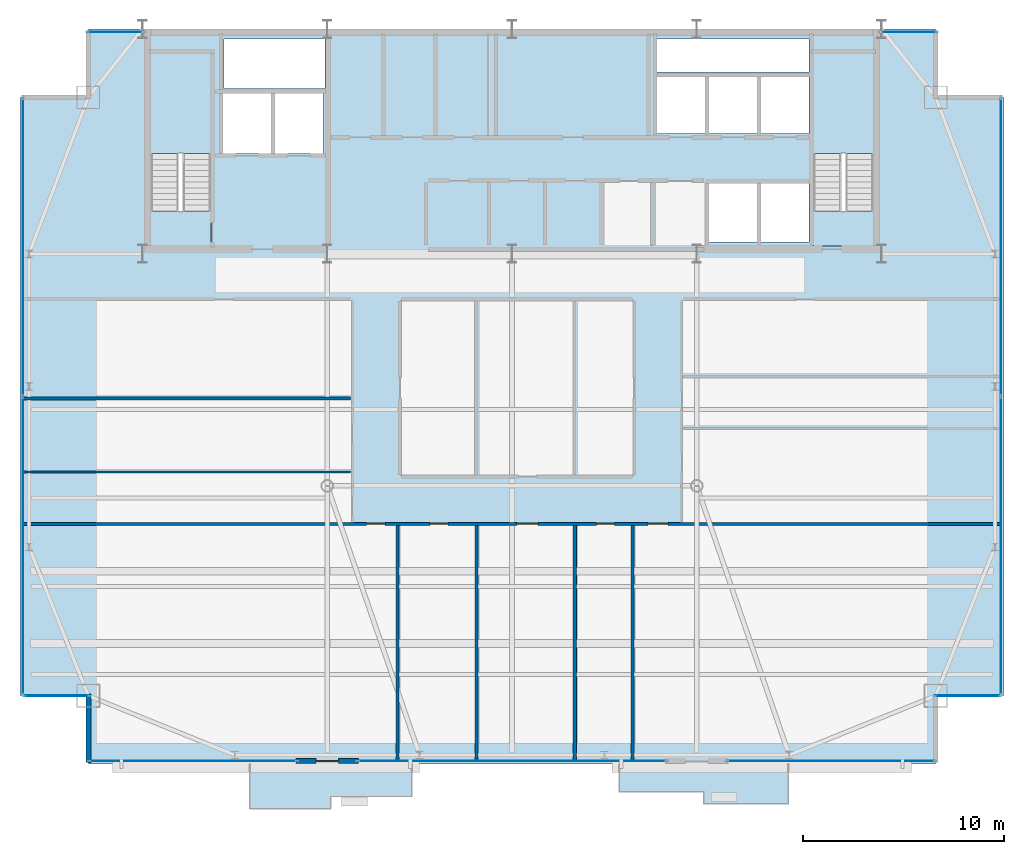
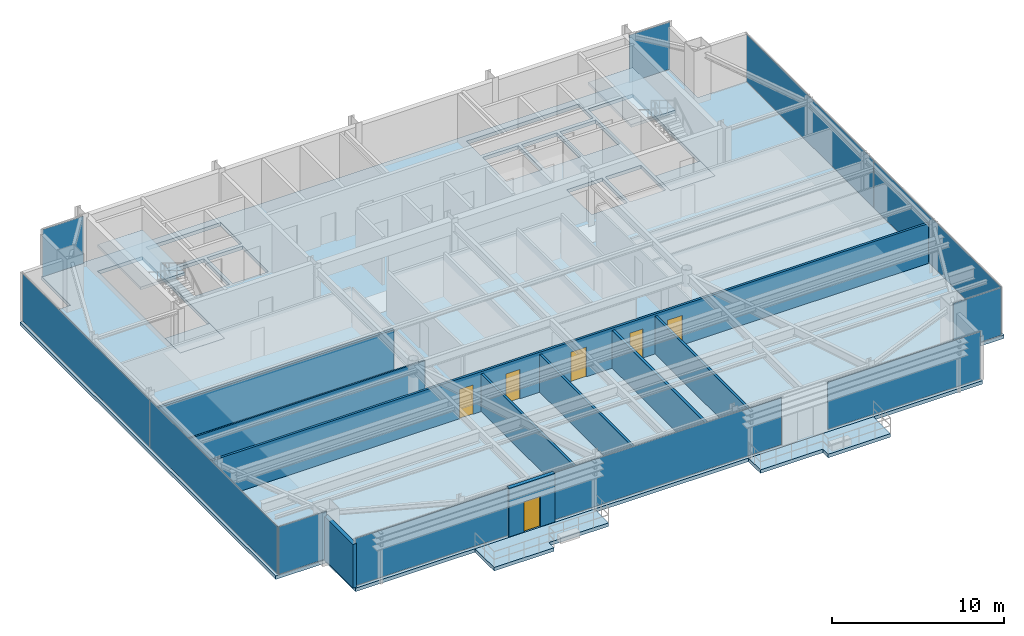
# One storey, part 23 of 28: 11 plates, 9 walls, 7 slabs, 6 doors, 6 openings, 11 elements without a shape of their own.
"""IFC4 building model written with IfcOpenShell, lengths in metres."""

from ifc_helpers import new_model, si_unit, direction, frame, frame_2d, origin, origin_2d, place, context, subcontext, project, spatial, polyline, rectangle, outline, extrude, source, transform, mapped, material, layer, layer_set, type_object, type_shapes, element, fill, aggregate, save


model = new_model("IFC4")

# Units and contexts
model_context = context("Model", 3, precision=1e-05, world=origin(), true_north=direction((0.0, 1.0)))
body_context = subcontext(model_context, "Body", "Model", "MODEL_VIEW")
ifc_project = project(units=[si_unit("LENGTHUNIT", "METRE"), si_unit("AREAUNIT", "SQUARE_METRE"), si_unit("VOLUMEUNIT", "CUBIC_METRE"), si_unit("PLANEANGLEUNIT", "RADIAN"), si_unit("MASSUNIT", "GRAM", prefix="KILO")], contexts=[model_context])

# Site, building, storey
site_placement = place(None, origin())
site = spatial("IfcSite", under=ifc_project, at=site_placement, CompositionType="ELEMENT")
building_placement = place(site_placement, origin())
building = spatial("IfcBuilding", under=site, at=building_placement, Name="Varnel Quay Broadcast Tower", CompositionType="ELEMENT")
storey_placement = place(building_placement, frame((0.0, 0.0, 230.199951171875)))
storey = spatial("IfcBuildingStorey", under=building, at=storey_placement, Name="L57", CompositionType="ELEMENT", Elevation=230.199951171875)

# Slabs
ifc_material_1 = material(Name="Concrete CSA A23.3 C40/50", Category="concrete")
ifc_layer_1 = layer(ifc_material_1, 0.25, Name="Concrete CSA A23.3 C40/50")
ifc_layer_set_1 = layer_set([ifc_layer_1], Name="Concrete CSA A23.3 C40/50")
slab_type_1 = type_object("IfcSlabType", Name="Slab_ExtTerrace250", PredefinedType="FLOOR", material=ifc_layer_set_1)
slab_1_placement = place(storey_placement, frame((0.0, 0.0, -0.25)))
element("IfcSlab", 1, at=slab_1_placement, inside=storey, type_object=slab_type_1, Name="L57 Planted Lobe Terrace Slab 1", PredefinedType="FLOOR", context=body_context, shape_type="SweptSolid", body=[
    extrude(outline(polyline([(20.949951171875, 7.98291015625), (24.97509765625, 7.98291015625), (24.97509765625, 8.5830078125), (29.0, 8.5830078125), (29.0, 10.199951171875), (20.949951171875, 10.199951171875), (20.949951171875, 7.98291015625)])), origin(), (0.0, 0.0, 1.0), 0.25),
])
slab_2_placement = place(storey_placement, frame((0.0, 0.0, -0.25)))
element("IfcSlab", 2, at=slab_2_placement, inside=storey, type_object=slab_type_1, Name="L57 Planted Lobe Terrace Slab 2", PredefinedType="FLOOR", context=body_context, shape_type="SweptSolid", body=[
    extrude(outline(polyline([(39.35009765625, 8.81689453125), (43.550048828125, 8.81689453125), (43.550048828125, 8.217041015625), (47.75, 8.217041015625), (47.75, 10.199951171875), (39.35009765625, 10.199951171875), (39.35009765625, 8.81689453125)])), origin(), (0.0, 0.0, 1.0), 0.25),
])
ifc_material_2 = material(Name="Concrete CSA A23.3 C50/60", Category="concrete")
ifc_layer_2 = layer(ifc_material_2, 0.25, Name="Concrete CSA A23.3 C50/60")
ifc_layer_set_2 = layer_set([ifc_layer_2], Name="Concrete CSA A23.3 C50/60")
slab_type_2 = type_object("IfcSlabType", Name="Slab_Floor250", PredefinedType="FLOOR", material=ifc_layer_set_2)
slab_3_placement = place(storey_placement, frame((0.0, 0.0, -0.25)))
element("IfcSlab", 3, at=slab_3_placement, inside=storey, type_object=slab_type_2, Name="L57 Structural Slab", PredefinedType="FLOOR", context=body_context, shape_type="SweptSolid", body=[
    extrude(outline(polyline([(12.89990234375, 10.199951171875), (55.10009765625, 10.199951171875), (55.10009765625, 13.60009765625), (58.5, 13.60009765625), (58.5, 43.39990234375), (55.10009765625, 43.39990234375), (55.10009765625, 46.800048828125), (12.89990234375, 46.800048828125), (12.89990234375, 43.39990234375), (9.5, 43.39990234375), (9.5, 13.60009765625), (12.89990234375, 13.60009765625), (12.89990234375, 10.199951171875)]), holes=[polyline([(19.0, 36.0), (16.0, 36.0), (16.0, 45.60009765625), (19.0, 45.60009765625), (19.0, 36.0)]), polyline([(19.60009765625, 40.60009765625), (19.60009765625, 43.60009765625), (22.0, 43.60009765625), (22.0, 40.60009765625), (19.60009765625, 40.60009765625)]), polyline([(22.199951171875, 40.60009765625), (22.199951171875, 43.60009765625), (24.60009765625, 43.60009765625), (24.60009765625, 40.60009765625), (22.199951171875, 40.60009765625)]), polyline([(41.199951171875, 44.39990234375), (43.60009765625, 44.39990234375), (43.60009765625, 41.60009765625), (41.199951171875, 41.60009765625), (41.199951171875, 44.39990234375)]), polyline([(43.800048828125, 44.39990234375), (46.199951171875, 44.39990234375), (46.199951171875, 41.60009765625), (43.800048828125, 41.60009765625), (43.800048828125, 44.39990234375)]), polyline([(19.64990234375, 43.85009765625), (19.64990234375, 46.300048828125), (24.679931640625, 46.300048828125), (24.679931640625, 43.85009765625), (19.64990234375, 43.85009765625)]), polyline([(43.800048828125, 39.10009765625), (46.199951171875, 39.10009765625), (46.199951171875, 36.199951171875), (43.800048828125, 36.199951171875), (43.800048828125, 39.10009765625)]), polyline([(46.39990234375, 39.10009765625), (48.800048828125, 39.10009765625), (48.800048828125, 36.199951171875), (46.39990234375, 36.199951171875), (46.39990234375, 39.10009765625)]), polyline([(52.0, 36.0), (49.0, 36.0), (49.0, 45.60009765625), (52.0, 45.60009765625), (52.0, 36.0)]), polyline([(46.39990234375, 44.39990234375), (48.800048828125, 44.39990234375), (48.800048828125, 41.60009765625), (46.39990234375, 41.60009765625), (46.39990234375, 44.39990234375)]), polyline([(41.199951171875, 46.300048828125), (48.800048828125, 46.300048828125), (48.800048828125, 44.64990234375), (41.199951171875, 44.64990234375), (41.199951171875, 46.300048828125)])]), origin(), (0.0, 0.0, 1.0), 0.25),
])
ifc_layer_3 = layer(ifc_material_2, 0.25, Name="Concrete CSA A23.3 C50/60")
ifc_layer_set_3 = layer_set([ifc_layer_3], Name="Concrete CSA A23.3 C50/60")
slab_type_3 = type_object("IfcSlabType", Name="Slab_StairFloorLanding250", PredefinedType="FLOOR", material=ifc_layer_set_3)
slab_4_placement = place(storey_placement, frame((0.0, 0.0, -0.25)))
element("IfcSlab", 4, at=slab_4_placement, inside=storey, type_object=slab_type_3, Name="L57 ST-01 Structural Floor Landing Slab", PredefinedType="FLOOR", context=body_context, shape_type="SweptSolid", body=[
    extrude(outline(polyline([(19.0, 36.0), (19.0, 37.75), (16.0, 37.75), (16.0, 36.0), (19.0, 36.0)])), origin(), (0.0, 0.0, 1.0), 0.25),
])
slab_5_placement = place(storey_placement, frame((0.0, 0.0, -0.25)))
element("IfcSlab", 5, at=slab_5_placement, inside=storey, type_object=slab_type_3, Name="L57 ST-02 Structural Floor Landing Slab", PredefinedType="FLOOR", context=body_context, shape_type="SweptSolid", body=[
    extrude(outline(polyline([(52.0, 36.0), (52.0, 37.75), (49.0, 37.75), (49.0, 36.0), (52.0, 36.0)])), origin(), (0.0, 0.0, 1.0), 0.25),
])

# Stair, slab
ifc_material_3 = material(Name="Precast Structural Concrete C40/50", Category="concrete")
stair_type_1 = type_object("IfcStairType", Name="Stair_ST-01", PredefinedType="HALF_TURN_STAIR", material=ifc_material_3)
stair_1_placement = place(storey_placement, origin())
stair_1 = element("IfcStair", 6, at=stair_1_placement, inside=storey, type_object=stair_type_1, Name="L57 West Core Exit Stair 1", PredefinedType="HALF_TURN_STAIR")
ifc_layer_4 = layer(ifc_material_3, 0.199951171875, Name="Precast Structural Concrete C40/50")
ifc_layer_set_4 = layer_set([ifc_layer_4], Name="Precast Structural Concrete C40/50")
slab_type_4 = type_object("IfcSlabType", Name="Slab_StairLanding200", PredefinedType="LANDING", material=ifc_layer_set_4)
slab_6_placement = place(storey_placement, frame((0.0, 0.0, 1.699951171875)))
slab_6 = element("IfcSlab", 7, at=slab_6_placement, type_object=slab_type_4, Name="ST-01 landing 1", PredefinedType="LANDING", context=body_context, shape_type="SweptSolid", body=[
    extrude(outline(polyline([(19.0, 40.60009765625), (19.0, 45.60009765625), (16.0, 45.60009765625), (16.0, 40.60009765625), (19.0, 40.60009765625)])), origin(), (0.0, 0.0, 1.0), 0.2001953125),
])
aggregate(stair_1, [slab_6])

stair_type_2 = type_object("IfcStairType", Name="Stair_ST-02", PredefinedType="HALF_TURN_STAIR", material=ifc_material_3)
stair_2_placement = place(storey_placement, origin())
stair_2 = element("IfcStair", 8, at=stair_2_placement, inside=storey, type_object=stair_type_2, Name="L57 East Core Exit Stair 2", PredefinedType="HALF_TURN_STAIR")
slab_7_placement = place(storey_placement, frame((0.0, 0.0, 1.699951171875)))
slab_7 = element("IfcSlab", 9, at=slab_7_placement, type_object=slab_type_4, Name="ST-02 landing 1", PredefinedType="LANDING", context=body_context, shape_type="SweptSolid", body=[
    extrude(outline(polyline([(52.0, 40.60009765625), (52.0, 45.60009765625), (49.0, 45.60009765625), (49.0, 40.60009765625), (52.0, 40.60009765625)])), origin(), (0.0, 0.0, 1.0), 0.2001953125),
])
aggregate(stair_2, [slab_7])

# Curtain wall, plate
ifc_material_4 = material(Name="Anodised Bronze Aluminium 6063-T6", Category="aluminium")
ifc_layer_5 = layer(ifc_material_4, 0.18994140625, Name="Anodised Bronze Aluminium 6063-T6")
ifc_layer_set_5 = layer_set([ifc_layer_5], Name="Anodised Bronze Aluminium 6063-T6")
curtain_wall_type_1 = type_object("IfcCurtainWallType", Name="CW_UpperTower", PredefinedType="NOTDEFINED", material=ifc_layer_set_5)
curtain_wall_1_placement = place(storey_placement, origin())
curtain_wall_1 = element("IfcCurtainWall", 10, at=curtain_wall_1_placement, inside=storey, type_object=curtain_wall_type_1, Name="L57 South Unitised Curtain Wall 1", PredefinedType="NOTDEFINED")
ifc_material_5 = material(Name="Triple-Glazed Bronze Low-E Architectural Glass", Category="glass")
ifc_layer_6 = layer(ifc_material_5, 0.030029296875, Name="Triple-Glazed Bronze Low-E Architectural Glass")
ifc_layer_set_6 = layer_set([ifc_layer_6], Name="Triple-Glazed Bronze Low-E Architectural Glass")
plate_type_1 = type_object("IfcPlateType", Name="Panel_CWS-03", PredefinedType="CURTAIN_PANEL", material=ifc_layer_set_6)
shared_shape_1 = source(origin(), body_context, "Body", "SweptSolid", [
    extrude(rectangle(XDim=10.2900390625, YDim=0.030029296875, at=origin_2d()), origin(), (0.0, 0.0, 1.0), 3.360107421875),
])
plate_1_placement = place(storey_placement, frame((18.110107421875, 10.35009765625, 0.06005859375), z_axis=(0.0, 0.0, 1.0), x_axis=(1.0, 0.0, 0.0)))
plate_1 = element("IfcPlate", 11, at=plate_1_placement, type_object=plate_type_1, Name="CWS-03 panel 1.1", PredefinedType="CURTAIN_PANEL", context=body_context, shape_type="MappedRepresentation", body=[
    mapped(shared_shape_1, transform((0.0, 0.0, 0.0), x_axis=(1.0, 0.0, 0.0), y_axis=(0.0, 1.0, 0.0), z_axis=(0.0, 0.0, 1.0), scale=1.0)),
])
aggregate(curtain_wall_1, [plate_1])

curtain_wall_2_placement = place(storey_placement, origin())
curtain_wall_2 = element("IfcCurtainWall", 12, at=curtain_wall_2_placement, inside=storey, type_object=curtain_wall_type_1, Name="L57 South Unitised Curtain Wall 3", PredefinedType="NOTDEFINED")
plate_2_placement = place(storey_placement, frame((49.889892578125, 10.35009765625, 0.06005859375), z_axis=(0.0, 0.0, 1.0), x_axis=(1.0, 0.0, 0.0)))
plate_2 = element("IfcPlate", 13, at=plate_2_placement, type_object=plate_type_1, Name="CWS-03 panel 1.1", PredefinedType="CURTAIN_PANEL", context=body_context, shape_type="MappedRepresentation", body=[
    mapped(shared_shape_1, transform((0.0, 0.0, 0.0), x_axis=(1.0, 0.0, 0.0), y_axis=(0.0, 1.0, 0.0), z_axis=(0.0, 0.0, 1.0), scale=1.0)),
])
aggregate(curtain_wall_2, [plate_2])

curtain_wall_3_placement = place(storey_placement, origin())
curtain_wall_3 = element("IfcCurtainWall", 14, at=curtain_wall_3_placement, inside=storey, type_object=curtain_wall_type_1, Name="L57 South Unitised Curtain Wall 2", PredefinedType="NOTDEFINED")
shared_shape_2 = source(origin(), body_context, "Body", "SweptSolid", [
    extrude(rectangle(XDim=15.31005859375, YDim=0.030029296875, at=origin_2d()), origin(), (0.0, 0.0, 1.0), 3.360107421875),
])
plate_3_placement = place(storey_placement, frame((34.0, 10.35009765625, 0.06005859375), z_axis=(0.0, 0.0, 1.0), x_axis=(1.0, 0.0, 0.0)))
plate_3 = element("IfcPlate", 15, at=plate_3_placement, type_object=plate_type_1, Name="CWS-03 panel 1.1", PredefinedType="CURTAIN_PANEL", context=body_context, shape_type="MappedRepresentation", body=[
    mapped(shared_shape_2, transform((0.0, 0.0, 0.0), x_axis=(1.0, 0.0, 0.0), y_axis=(0.0, 1.0, 0.0), z_axis=(0.0, 0.0, 1.0), scale=1.0)),
])
aggregate(curtain_wall_3, [plate_3])

# Curtain wall, plates
curtain_wall_4_placement = place(storey_placement, origin())
curtain_wall_4 = element("IfcCurtainWall", 16, at=curtain_wall_4_placement, inside=storey, type_object=curtain_wall_type_1, Name="L57 West Unitised Curtain Wall", PredefinedType="NOTDEFINED")
shared_shape_3 = source(origin(), body_context, "Body", "SweptSolid", [
    extrude(rectangle(XDim=14.802490234375, YDim=0.030029296875, at=origin_2d()), origin(), (0.0, 0.0, 1.0), 3.360107421875),
])
plate_4_placement = place(storey_placement, frame((9.64990234375, 21.066162109375, 0.06005859375), z_axis=(0.0, 0.0, 1.0), x_axis=(0.0, 1.0, 0.0)))
plate_4 = element("IfcPlate", 17, at=plate_4_placement, type_object=plate_type_1, Name="CWS-03 panel 1.1", PredefinedType="CURTAIN_PANEL", context=body_context, shape_type="MappedRepresentation", body=[
    mapped(shared_shape_3, transform((0.0, 0.0, 0.0), x_axis=(1.0, 0.0, 0.0), y_axis=(0.0, 1.0, 0.0), z_axis=(0.0, 0.0, 1.0), scale=1.0)),
])
plate_5_placement = place(storey_placement, frame((9.64990234375, 35.933837890625, 0.06005859375), z_axis=(0.0, 0.0, 1.0), x_axis=(0.0, 1.0, 0.0)))
plate_5 = element("IfcPlate", 18, at=plate_5_placement, type_object=plate_type_1, Name="CWS-03 panel 2.1", PredefinedType="CURTAIN_PANEL", context=body_context, shape_type="MappedRepresentation", body=[
    mapped(shared_shape_3, transform((0.0, 0.0, 0.0), x_axis=(1.0, 0.0, 0.0), y_axis=(0.0, 1.0, 0.0), z_axis=(0.0, 0.0, 1.0), scale=1.0)),
])
aggregate(curtain_wall_4, [plate_4, plate_5])

curtain_wall_5_placement = place(storey_placement, origin())
curtain_wall_5 = element("IfcCurtainWall", 19, at=curtain_wall_5_placement, inside=storey, type_object=curtain_wall_type_1, Name="L57 East Unitised Curtain Wall", PredefinedType="NOTDEFINED")
plate_6_placement = place(storey_placement, frame((58.35009765625, 21.066162109375, 0.06005859375), z_axis=(0.0, 0.0, 1.0), x_axis=(0.0, 1.0, 0.0)))
plate_6 = element("IfcPlate", 20, at=plate_6_placement, type_object=plate_type_1, Name="CWS-03 panel 1.1", PredefinedType="CURTAIN_PANEL", context=body_context, shape_type="MappedRepresentation", body=[
    mapped(shared_shape_3, transform((0.0, 0.0, 0.0), x_axis=(1.0, 0.0, 0.0), y_axis=(0.0, 1.0, 0.0), z_axis=(0.0, 0.0, 1.0), scale=1.0)),
])
plate_7_placement = place(storey_placement, frame((58.35009765625, 35.933837890625, 0.06005859375), z_axis=(0.0, 0.0, 1.0), x_axis=(0.0, 1.0, 0.0)))
plate_7 = element("IfcPlate", 21, at=plate_7_placement, type_object=plate_type_1, Name="CWS-03 panel 2.1", PredefinedType="CURTAIN_PANEL", context=body_context, shape_type="MappedRepresentation", body=[
    mapped(shared_shape_3, transform((0.0, 0.0, 0.0), x_axis=(1.0, 0.0, 0.0), y_axis=(0.0, 1.0, 0.0), z_axis=(0.0, 0.0, 1.0), scale=1.0)),
])
aggregate(curtain_wall_5, [plate_6, plate_7])

# Curtain wall, plate
ifc_layer_7 = layer(ifc_material_4, 0.18994140625, Name="Anodised Bronze Aluminium 6063-T6")
ifc_layer_set_7 = layer_set([ifc_layer_7], Name="Anodised Bronze Aluminium 6063-T6")
curtain_wall_type_2 = type_object("IfcCurtainWallType", Name="CW_NotchCorner", PredefinedType="NOTDEFINED", material=ifc_layer_set_7)
curtain_wall_6_placement = place(storey_placement, origin())
curtain_wall_6 = element("IfcCurtainWall", 22, at=curtain_wall_6_placement, inside=storey, type_object=curtain_wall_type_2, Name="L57 SW Notch Curtain Wall", PredefinedType="NOTDEFINED")
ifc_layer_8 = layer(ifc_material_5, 0.028076171875, Name="Triple-Glazed Bronze Low-E Architectural Glass")
ifc_layer_set_8 = layer_set([ifc_layer_8], Name="Triple-Glazed Bronze Low-E Architectural Glass")
plate_type_2 = type_object("IfcPlateType", Name="Panel_CWS-04", PredefinedType="CURTAIN_PANEL", material=ifc_layer_set_8)
shared_shape_4 = source(origin(), body_context, "Body", "SweptSolid", [
    extrude(rectangle(XDim=3.2099609375, YDim=0.028076171875, at=origin_2d()), origin(), (0.0, 0.0, 1.0), 3.3701171875),
])
type_shapes(plate_type_2, [shared_shape_4])
plate_8_placement = place(storey_placement, frame((11.31494140625, 13.60009765625, 0.054931640625), z_axis=(0.0, 0.0, 1.0), x_axis=(1.0, 0.0, 0.0)))
plate_8 = element("IfcPlate", 23, at=plate_8_placement, type_object=plate_type_2, Name="CWS-04 panel 1.1", PredefinedType="CURTAIN_PANEL", context=body_context, shape_type="MappedRepresentation", body=[
    mapped(shared_shape_4, transform((0.0, 0.0, 0.0), x_axis=(1.0, 0.0, 0.0), y_axis=(0.0, 1.0, 0.0), z_axis=(0.0, 0.0, 1.0), scale=1.0)),
])
aggregate(curtain_wall_6, [plate_8])

curtain_wall_7_placement = place(storey_placement, origin())
curtain_wall_7 = element("IfcCurtainWall", 24, at=curtain_wall_7_placement, inside=storey, type_object=curtain_wall_type_2, Name="L57 SE Notch Curtain Wall", PredefinedType="NOTDEFINED")
plate_9_placement = place(storey_placement, frame((56.68505859375, 13.60009765625, 0.054931640625), z_axis=(0.0, 0.0, 1.0), x_axis=(1.0, 0.0, 0.0)))
plate_9 = element("IfcPlate", 25, at=plate_9_placement, type_object=plate_type_2, Name="CWS-04 panel 1.1", PredefinedType="CURTAIN_PANEL", context=body_context, shape_type="MappedRepresentation", body=[
    mapped(shared_shape_4, transform((0.0, 0.0, 0.0), x_axis=(1.0, 0.0, 0.0), y_axis=(0.0, 1.0, 0.0), z_axis=(0.0, 0.0, 1.0), scale=1.0)),
])
aggregate(curtain_wall_7, [plate_9])

curtain_wall_8_placement = place(storey_placement, origin())
curtain_wall_8 = element("IfcCurtainWall", 26, at=curtain_wall_8_placement, inside=storey, type_object=curtain_wall_type_1, Name="L57 NW Wing Curtain Wall", PredefinedType="NOTDEFINED")
shared_shape_5 = source(origin(), body_context, "Body", "SweptSolid", [
    extrude(rectangle(XDim=2.75, YDim=0.030029296875, at=origin_2d()), origin(), (0.0, 0.0, 1.0), 3.360107421875),
])
type_shapes(plate_type_1, [shared_shape_1, shared_shape_2, shared_shape_3, shared_shape_5])
plate_10_placement = place(storey_placement, frame((14.260009765625, 46.64990234375, 0.06005859375), z_axis=(0.0, 0.0, 1.0), x_axis=(1.0, 0.0, 0.0)))
plate_10 = element("IfcPlate", 27, at=plate_10_placement, type_object=plate_type_1, Name="CWS-03 panel 1.1", PredefinedType="CURTAIN_PANEL", context=body_context, shape_type="MappedRepresentation", body=[
    mapped(shared_shape_5, transform((0.0, 0.0, 0.0), x_axis=(1.0, 0.0, 0.0), y_axis=(0.0, 1.0, 0.0), z_axis=(0.0, 0.0, 1.0), scale=1.0)),
])
aggregate(curtain_wall_8, [plate_10])

curtain_wall_9_placement = place(storey_placement, origin())
curtain_wall_9 = element("IfcCurtainWall", 28, at=curtain_wall_9_placement, inside=storey, type_object=curtain_wall_type_1, Name="L57 NE Wing Curtain Wall", PredefinedType="NOTDEFINED")
plate_11_placement = place(storey_placement, frame((53.739990234375, 46.64990234375, 0.06005859375), z_axis=(0.0, 0.0, 1.0), x_axis=(1.0, 0.0, 0.0)))
plate_11 = element("IfcPlate", 29, at=plate_11_placement, type_object=plate_type_1, Name="CWS-03 panel 1.1", PredefinedType="CURTAIN_PANEL", context=body_context, shape_type="MappedRepresentation", body=[
    mapped(shared_shape_5, transform((0.0, 0.0, 0.0), x_axis=(1.0, 0.0, 0.0), y_axis=(0.0, 1.0, 0.0), z_axis=(0.0, 0.0, 1.0), scale=1.0)),
])
aggregate(curtain_wall_9, [plate_11])

# Wall, opening, door
ifc_material_6 = material(Name="Precast Architectural Concrete C40/50", Category="concrete")
ifc_layer_9 = layer(ifc_material_6, 0.25, Name="Precast Architectural Concrete C40/50")
ifc_layer_set_9 = layer_set([ifc_layer_9], Name="Precast Architectural Concrete C40/50")
wall_type_1 = type_object("IfcWallType", Name="Wall_ExtTerrace250", PredefinedType="SOLIDWALL", material=ifc_layer_set_9)
wall_1_placement = place(storey_placement, frame((23.25, 10.35009765625, 0.0), z_axis=(0.0, 0.0, 1.0), x_axis=(1.0, 0.0, 0.0)))
wall_1 = element("IfcWall", 30, at=wall_1_placement, inside=storey, type_object=wall_type_1, Name="L57 Terrace Access Wall 1", PredefinedType="SOLIDWALL", context=body_context, shape_type="SweptSolid", body=[
    extrude(rectangle(XDim=3.10009765625, YDim=0.25, at=frame_2d((1.550048828125, 0.0))), origin(), (0.0, 0.0, 1.0), 3.4599609375),
])
opening_1_placement = place(wall_1_placement, frame((1.0, 0.0, 0.0)))
opening_1 = element("IfcOpeningElement", 31, at=opening_1_placement, cuts=wall_1, Name="Opening TD-571", PredefinedType="OPENING", context=body_context, shape_type="SweptSolid", body=[
    extrude(rectangle(XDim=1.10009765625, YDim=2.14990234375, at=frame_2d((0.550048828125, 1.074951171875))), frame((0.0, 0.135009765625, 0.0), z_axis=(0.0, -1.0, 0.0), x_axis=(1.0, 0.0, 0.0)), (0.0, 0.0, 1.0), 0.27001953125),
])
door_type_1 = type_object("IfcDoorType", Name="Door_ExtTerrace1100", OperationType="NOTDEFINED", PredefinedType="DOOR", material=ifc_material_4)
shared_shape_6 = source(origin(), body_context, "Body", "SweptSolid", [
    extrude(rectangle(XDim=1.10009765625, YDim=2.14990234375, at=frame_2d((0.550048828125, 1.074951171875))), frame((0.0, 0.02490234375, 0.0), z_axis=(0.0, -1.0, 0.0), x_axis=(1.0, 0.0, 0.0)), (0.0, 0.0, 1.0), 0.050048828125),
])
type_shapes(door_type_1, [shared_shape_6])
door_1_placement = place(opening_1_placement, frame((1.10009765625, 0.0, 0.0), z_axis=(0.0, 0.0, 1.0), x_axis=(-1.0, 0.0, 0.0)))
door_1 = element("IfcDoor", 32, at=door_1_placement, inside=storey, type_object=door_type_1, Name="L57 Terrace Door TD-571", OperationType="SINGLE_SWING_LEFT", OverallHeight=2.14990234375, OverallWidth=1.10009765625, PredefinedType="DOOR", context=body_context, shape_type="MappedRepresentation", body=[
    mapped(shared_shape_6, transform((0.0, 0.0, 0.0), x_axis=(1.0, 0.0, 0.0), y_axis=(0.0, 1.0, 0.0), z_axis=(0.0, 0.0, 1.0), scale=1.0)),
])
fill(opening_1, door_1)

# Walls
wall_2_placement = place(storey_placement, frame((12.89990234375, 10.280029296875, 0.0), z_axis=(0.0, 0.0, 1.0), x_axis=(0.0, 1.0, 0.0)))
element("IfcWall", 33, at=wall_2_placement, inside=storey, type_object=wall_type_1, Name="L57 Mega-Column Notch Cladding Wall NSW2", PredefinedType="SOLIDWALL", context=body_context, shape_type="SweptSolid", body=[
    extrude(rectangle(XDim=3.39990234375, YDim=0.25, at=frame_2d((1.699951171875, 0.0))), origin(), (0.0, 0.0, 1.0), 3.10107421875),
])
ifc_material_7 = material(Name="Steel-Stud Fire-Rated Acoustic Gypsum Partition Assembly", Category="steel")
ifc_layer_10 = layer(ifc_material_7, 0.10498046875, Name="Steel-Stud Fire-Rated Acoustic Gypsum Partition Assembly")
ifc_layer_set_10 = layer_set([ifc_layer_10], Name="Steel-Stud Fire-Rated Acoustic Gypsum Partition Assembly")
wall_type_2 = type_object("IfcWallType", Name="Wall_Partition105", PredefinedType="PARTITIONING", material=ifc_layer_set_10)
wall_3_placement = place(storey_placement, frame((9.679931640625, 24.739990234375, 0.0), z_axis=(0.0, 0.0, 1.0), x_axis=(1.0, 0.0, 0.0)))
element("IfcWall", 34, at=wall_3_placement, inside=storey, type_object=wall_type_2, Name="L57 Camera Locker Store 6 Partition 14", PredefinedType="PARTITIONING", context=body_context, shape_type="SweptSolid", body=[
    extrude(rectangle(XDim=16.27001953125, YDim=0.10498046875, at=frame_2d((8.135009765625, 0.0))), origin(), (0.0, 0.0, 1.0), 2.838134765625),
])
ifc_layer_11 = layer(ifc_material_7, 0.14990234375, Name="Steel-Stud Fire-Rated Acoustic Gypsum Partition Assembly")
ifc_layer_set_11 = layer_set([ifc_layer_11], Name="Steel-Stud Fire-Rated Acoustic Gypsum Partition Assembly")
wall_type_3 = type_object("IfcWallType", Name="Wall_Partition150", PredefinedType="PARTITIONING", material=ifc_layer_set_11)
wall_4_placement = place(storey_placement, frame((28.300048828125, 10.3798828125, 0.0), z_axis=(0.0, 0.0, 1.0), x_axis=(0.0, 1.0, 0.0)))
element("IfcWall", 35, at=wall_4_placement, inside=storey, type_object=wall_type_3, Name="L57 Broadcast Newsroom 1 Partition 8", PredefinedType="PARTITIONING", context=body_context, shape_type="SweptSolid", body=[
    extrude(rectangle(XDim=11.705078125, YDim=0.14990234375, at=frame_2d((5.8525390625, 0.0))), origin(), (0.0, 0.0, 1.0), 2.68212890625),
])

# Wall, openings, doors
wall_5_placement = place(storey_placement, frame((9.679931640625, 22.159912109375, 0.0), z_axis=(0.0, 0.0, 1.0), x_axis=(1.0, 0.0, 0.0)))
wall_5 = element("IfcWall", 36, at=wall_5_placement, inside=storey, type_object=wall_type_3, Name="L57 Broadcast Newsroom 1 Partition 9", PredefinedType="PARTITIONING", context=body_context, shape_type="SweptSolid", body=[
    extrude(rectangle(XDim=48.64013671875, YDim=0.14990234375, at=frame_2d((24.320068359375, 0.0))), origin(), (0.0, 0.0, 1.0), 2.838134765625),
])
opening_2_placement = place(wall_5_placement, frame((17.0849609375, 0.0, 0.0)))
opening_2 = element("IfcOpeningElement", 37, at=opening_2_placement, cuts=wall_5, Name="Opening D-L57-06", PredefinedType="OPENING", context=body_context, shape_type="SweptSolid", body=[
    extrude(rectangle(XDim=0.919921875, YDim=2.080078125, at=frame_2d((0.4599609375, 1.0400390625))), frame((0.0, 0.0849609375, 0.0), z_axis=(0.0, -1.0, 0.0), x_axis=(1.0, 0.0, 0.0)), (0.0, 0.0, 1.0), 0.169921875),
])
opening_3_placement = place(wall_5_placement, frame((20.22509765625, 0.0, 0.0)))
opening_3 = element("IfcOpeningElement", 38, at=opening_3_placement, cuts=wall_5, Name="Opening D-L57-07", PredefinedType="OPENING", context=body_context, shape_type="SweptSolid", body=[
    extrude(rectangle(XDim=0.919921875, YDim=2.080078125, at=frame_2d((0.4599609375, 1.0400390625))), frame((0.0, 0.0849609375, 0.0), z_axis=(0.0, -1.0, 0.0), x_axis=(1.0, 0.0, 0.0)), (0.0, 0.0, 1.0), 0.169921875),
])
opening_4_placement = place(wall_5_placement, frame((24.570068359375, 0.0, 0.0)))
opening_4 = element("IfcOpeningElement", 39, at=opening_4_placement, cuts=wall_5, Name="Opening D-L57-08", PredefinedType="OPENING", context=body_context, shape_type="SweptSolid", body=[
    extrude(rectangle(XDim=1.050048828125, YDim=2.10009765625, at=frame_2d((0.52490234375, 1.050048828125))), frame((0.0, 0.0849609375, 0.0), z_axis=(0.0, -1.0, 0.0), x_axis=(1.0, 0.0, 0.0)), (0.0, 0.0, 1.0), 0.169921875),
])
opening_5_placement = place(wall_5_placement, frame((28.5400390625, 0.0, 0.0)))
opening_5 = element("IfcOpeningElement", 40, at=opening_5_placement, cuts=wall_5, Name="Opening D-L57-09", PredefinedType="OPENING", context=body_context, shape_type="SweptSolid", body=[
    extrude(rectangle(XDim=0.8798828125, YDim=2.06005859375, at=frame_2d((0.43994140625, 1.030029296875))), frame((0.0, 0.0849609375, 0.0), z_axis=(0.0, -1.0, 0.0), x_axis=(1.0, 0.0, 0.0)), (0.0, 0.0, 1.0), 0.169921875),
])
opening_6_placement = place(wall_5_placement, frame((31.094970703125, 0.0, 0.0)))
opening_6 = element("IfcOpeningElement", 41, at=opening_6_placement, cuts=wall_5, Name="Opening D-L57-10", PredefinedType="OPENING", context=body_context, shape_type="SweptSolid", body=[
    extrude(rectangle(XDim=1.0, YDim=2.10009765625, at=frame_2d((0.5, 1.050048828125))), frame((0.0, 0.0849609375, 0.0), z_axis=(0.0, -1.0, 0.0), x_axis=(1.0, 0.0, 0.0)), (0.0, 0.0, 1.0), 0.169921875),
])
ifc_material_8 = material(Name="Solid-Core Fire-Rated Acoustic Oak Veneer Door", Category="wood")
door_type_2 = type_object("IfcDoorType", Name="Door_Booth880", OperationType="NOTDEFINED", PredefinedType="DOOR", material=ifc_material_8)
shared_shape_7 = source(origin(), body_context, "Body", "SweptSolid", [
    extrude(rectangle(XDim=0.8798828125, YDim=2.06005859375, at=frame_2d((0.43994140625, 1.030029296875))), frame((0.0, 0.02490234375, 0.0), z_axis=(0.0, -1.0, 0.0), x_axis=(1.0, 0.0, 0.0)), (0.0, 0.0, 1.0), 0.050048828125),
])
type_shapes(door_type_2, [shared_shape_7])
door_2_placement = place(opening_5_placement, frame((0.8798828125, 0.0, 0.0), z_axis=(0.0, 0.0, 1.0), x_axis=(-1.0, 0.0, 0.0)))
door_2 = element("IfcDoor", 42, at=door_2_placement, inside=storey, type_object=door_type_2, Name="L57 Break Kitchen 4 Door D-L57-09", OperationType="SINGLE_SWING_LEFT", OverallHeight=2.06005859375, OverallWidth=0.8798828125, PredefinedType="DOOR", context=body_context, shape_type="MappedRepresentation", body=[
    mapped(shared_shape_7, transform((0.0, 0.0, 0.0), x_axis=(1.0, 0.0, 0.0), y_axis=(0.0, 1.0, 0.0), z_axis=(0.0, 0.0, 1.0), scale=1.0)),
])
fill(opening_5, door_2)
door_type_3 = type_object("IfcDoorType", Name="Door_Office920", OperationType="NOTDEFINED", PredefinedType="DOOR", material=ifc_material_8)
shared_shape_8 = source(origin(), body_context, "Body", "SweptSolid", [
    extrude(rectangle(XDim=0.919921875, YDim=2.080078125, at=frame_2d((0.4599609375, 1.0400390625))), frame((0.0, 0.02490234375, 0.0), z_axis=(0.0, -1.0, 0.0), x_axis=(1.0, 0.0, 0.0)), (0.0, 0.0, 1.0), 0.050048828125),
])
type_shapes(door_type_3, [shared_shape_8])
door_3_placement = place(opening_2_placement, frame((0.919921875, 0.0, 0.0), z_axis=(0.0, 0.0, 1.0), x_axis=(-1.0, 0.0, 0.0)))
door_3 = element("IfcDoor", 43, at=door_3_placement, inside=storey, type_object=door_type_3, Name="L57 Broadcast Newsroom 1 Door D-L57-06", OperationType="SINGLE_SWING_RIGHT", OverallHeight=2.080078125, OverallWidth=0.919921875, PredefinedType="DOOR", context=body_context, shape_type="MappedRepresentation", body=[
    mapped(shared_shape_8, transform((0.0, 0.0, 0.0), x_axis=(1.0, 0.0, 0.0), y_axis=(0.0, 1.0, 0.0), z_axis=(0.0, 0.0, 1.0), scale=1.0)),
])
fill(opening_2, door_3)
door_4_placement = place(opening_3_placement, frame((0.919921875, 0.0, 0.0), z_axis=(0.0, 0.0, 1.0), x_axis=(-1.0, 0.0, 0.0)))
door_4 = element("IfcDoor", 44, at=door_4_placement, inside=storey, type_object=door_type_3, Name="L57 Assignment Desk 2 Door D-L57-07", OperationType="SINGLE_SWING_LEFT", OverallHeight=2.080078125, OverallWidth=0.919921875, PredefinedType="DOOR", context=body_context, shape_type="MappedRepresentation", body=[
    mapped(shared_shape_8, transform((0.0, 0.0, 0.0), x_axis=(1.0, 0.0, 0.0), y_axis=(0.0, 1.0, 0.0), z_axis=(0.0, 0.0, 1.0), scale=1.0)),
])
fill(opening_3, door_4)
door_type_4 = type_object("IfcDoorType", Name="Door_Exec1000", OperationType="NOTDEFINED", PredefinedType="DOOR", material=ifc_material_8)
shared_shape_9 = source(origin(), body_context, "Body", "SweptSolid", [
    extrude(rectangle(XDim=1.0, YDim=2.10009765625, at=frame_2d((0.5, 1.050048828125))), frame((0.0, 0.02490234375, 0.0), z_axis=(0.0, -1.0, 0.0), x_axis=(1.0, 0.0, 0.0)), (0.0, 0.0, 1.0), 0.050048828125),
])
type_shapes(door_type_4, [shared_shape_9])
door_5_placement = place(opening_6_placement, frame((1.0, 0.0, 0.0), z_axis=(0.0, 0.0, 1.0), x_axis=(-1.0, 0.0, 0.0)))
door_5 = element("IfcDoor", 45, at=door_5_placement, inside=storey, type_object=door_type_4, Name="L57 Press Green Lounge 5 Door D-L57-10", OperationType="SINGLE_SWING_RIGHT", OverallHeight=2.10009765625, OverallWidth=1.0, PredefinedType="DOOR", context=body_context, shape_type="MappedRepresentation", body=[
    mapped(shared_shape_9, transform((0.0, 0.0, 0.0), x_axis=(1.0, 0.0, 0.0), y_axis=(0.0, 1.0, 0.0), z_axis=(0.0, 0.0, 1.0), scale=1.0)),
])
fill(opening_6, door_5)
door_type_5 = type_object("IfcDoorType", Name="Door_Meeting1050", OperationType="NOTDEFINED", PredefinedType="DOOR", material=ifc_material_8)
shared_shape_10 = source(origin(), body_context, "Body", "SweptSolid", [
    extrude(rectangle(XDim=1.050048828125, YDim=2.10009765625, at=frame_2d((0.52490234375, 1.050048828125))), frame((0.0, 0.02490234375, 0.0), z_axis=(0.0, -1.0, 0.0), x_axis=(1.0, 0.0, 0.0)), (0.0, 0.0, 1.0), 0.050048828125),
])
type_shapes(door_type_5, [shared_shape_10])
door_6_placement = place(opening_4_placement, frame((1.050048828125, 0.0, 0.0), z_axis=(0.0, 0.0, 1.0), x_axis=(-1.0, 0.0, 0.0)))
door_6 = element("IfcDoor", 46, at=door_6_placement, inside=storey, type_object=door_type_5, Name="L57 Editorial Boardroom 3 Door D-L57-08", OperationType="SINGLE_SWING_RIGHT", OverallHeight=2.10009765625, OverallWidth=1.050048828125, PredefinedType="DOOR", context=body_context, shape_type="MappedRepresentation", body=[
    mapped(shared_shape_10, transform((0.0, 0.0, 0.0), x_axis=(1.0, 0.0, 0.0), y_axis=(0.0, 1.0, 0.0), z_axis=(0.0, 0.0, 1.0), scale=1.0)),
])
fill(opening_4, door_6)

# Walls
for number, where, z_axis, x_axis, name in (
    (47, (32.22998046875, 10.3798828125, 0.0), (0.0, 0.0, 1.0), (0.0, 1.0, 0.0), "L57 Assignment Desk 2 Partition 10"),
    (48, (40.0, 10.3798828125, 0.0), (0.0, 0.0, 1.0), (0.0, 1.0, 0.0), "L57 Break Kitchen 4 Partition 12"),
):
    element("IfcWall", number, at=place(storey_placement, frame(where, z_axis=z_axis, x_axis=x_axis)), inside=storey, type_object=wall_type_3, Name=name, PredefinedType="PARTITIONING", context=body_context, shape_type="SweptSolid", body=[
        extrude(rectangle(XDim=11.705078125, YDim=0.14990234375, at=frame_2d((5.8525390625, 0.0))), origin(), (0.0, 0.0, 1.0), 2.68212890625),
    ])
wall_6_placement = place(storey_placement, frame((9.679931640625, 28.39990234375, 0.0), z_axis=(0.0, 0.0, 1.0), x_axis=(1.0, 0.0, 0.0)))
element("IfcWall", 49, at=wall_6_placement, inside=storey, type_object=wall_type_3, Name="L57 Broadcast Newsroom 7 Partition 15", PredefinedType="PARTITIONING", context=body_context, shape_type="SweptSolid", body=[
    extrude(rectangle(XDim=16.27001953125, YDim=0.14990234375, at=frame_2d((8.135009765625, 0.0))), origin(), (0.0, 0.0, 1.0), 2.838134765625),
])
ifc_layer_12 = layer(ifc_material_7, 0.175048828125, Name="Steel-Stud Fire-Rated Acoustic Gypsum Partition Assembly")
ifc_layer_set_12 = layer_set([ifc_layer_12], Name="Steel-Stud Fire-Rated Acoustic Gypsum Partition Assembly")
wall_type_4 = type_object("IfcWallType", Name="Wall_Partition175", PredefinedType="PARTITIONING", material=ifc_layer_set_12)
wall_7_placement = place(storey_placement, frame((37.1201171875, 10.3798828125, 0.0), z_axis=(0.0, 0.0, 1.0), x_axis=(0.0, 1.0, 0.0)))
element("IfcWall", 50, at=wall_7_placement, inside=storey, type_object=wall_type_4, Name="L57 Editorial Boardroom 3 Partition 11", PredefinedType="PARTITIONING", context=body_context, shape_type="SweptSolid", body=[
    extrude(rectangle(XDim=11.705078125, YDim=0.175048828125, at=frame_2d((5.8525390625, 0.0))), origin(), (0.0, 0.0, 1.0), 2.68212890625),
])

save(model, "model.ifc")
